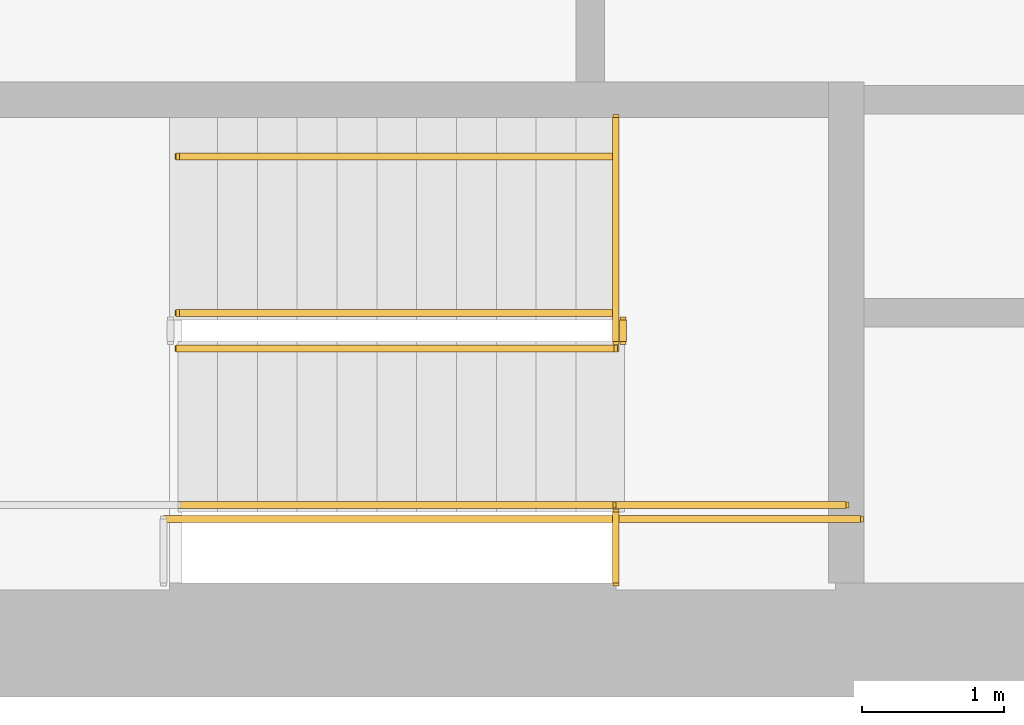
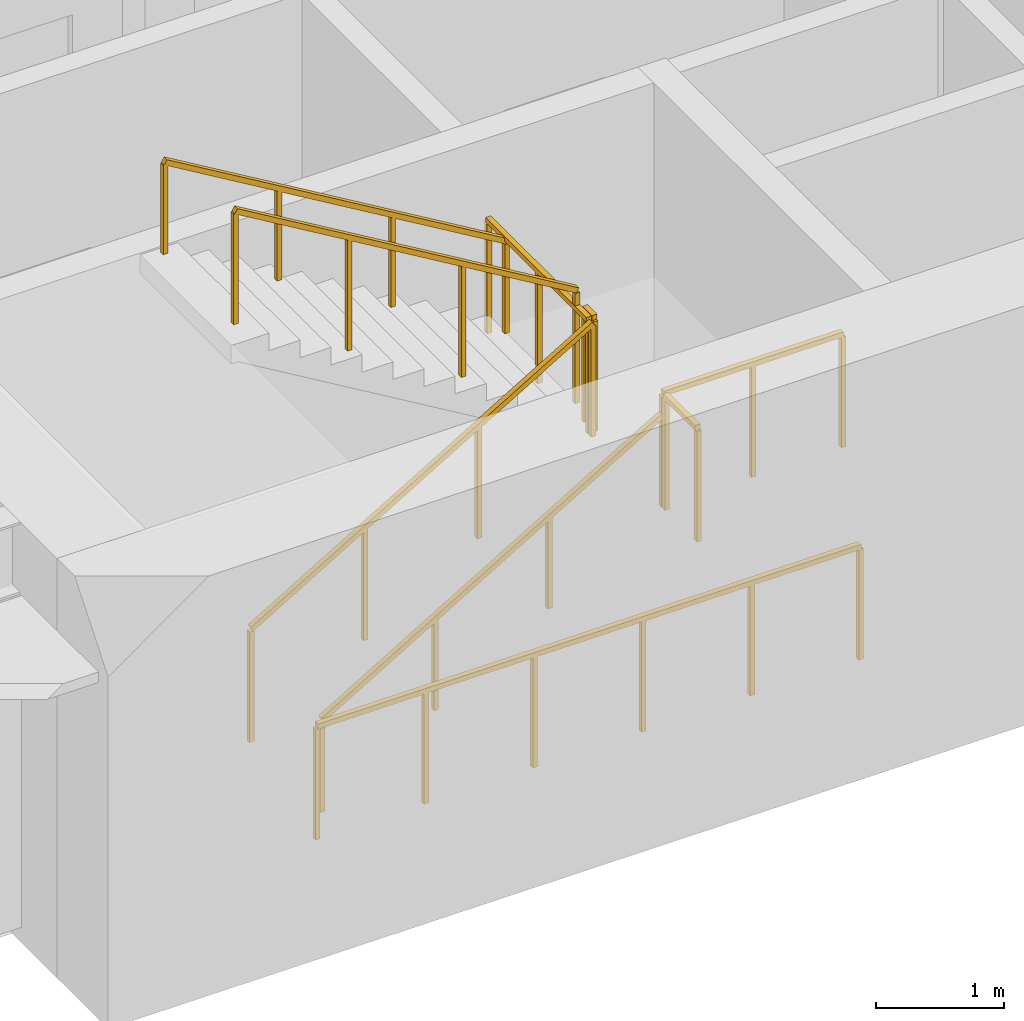
# One storey, part 10 of 12: 9 railings.
"""IFC4 building model written with IfcOpenShell, lengths in metres."""

import ifcopenshell
import ifcopenshell.guid

model = None  # the IFC model being written
_history = None  # IfcOwnerHistory: only IFC2X3 demands one
_inside = {}  # id of a spatial element -> (the spatial element, [elements in it])
_under = {}  # id of a project, library or spatial element -> (it, [spatial elements below it])
_declared = {}  # id of a project -> (the project, [libraries it declares])
_typed = {}  # id of a type object -> (the type object, [elements of that type])
_made_of = {}  # id of a material, layer set ... -> (it, [elements and type objects made of it])


def new_model(schema):
    """Start an empty IFC model of exactly this schema.

    Asked for "IFC4X3", IfcOpenShell would pick the latest addendum, in which some entities
    have other attributes; the version numbers below select the first issue.
    IFC2X3 requires an IfcOwnerHistory on every rooted entity: one is made here for all.
    """
    global model, _history
    if schema == "IFC4X3":
        model = ifcopenshell.file(schema_version=(4, 3, 0, 0))
    else:
        model = ifcopenshell.file(schema=schema)
    _inside.clear()
    _under.clear()
    _declared.clear()
    _typed.clear()
    _made_of.clear()
    _history = None
    if model.schema == "IFC2X3":
        org = make("IfcOrganization", Name="unknown")
        user = make(
            "IfcPersonAndOrganization",
            ThePerson=make("IfcPerson", FamilyName="unknown"),
            TheOrganization=org,
        )
        app = make(
            "IfcApplication",
            ApplicationDeveloper=org,
            Version="unknown",
            ApplicationFullName="unknown",
            ApplicationIdentifier="unknown",
        )
        _history = make(
            "IfcOwnerHistory",
            OwningUser=user,
            OwningApplication=app,
            ChangeAction="ADDED",
            CreationDate=0,
        )
    return model


def make(cls, **values):
    """One entity of the class cls with the attributes given. An attribute that is None is left unset."""
    return model.create_entity(
        cls, **{name: value for name, value in values.items() if value is not None}
    )


def rooted(cls, **values):
    """An entity with a GlobalId (a new one), such as an element, a storey or a relation."""
    return make(cls, GlobalId=ifcopenshell.guid.new(), OwnerHistory=_history, **values)


def si_unit(unit_type, name, prefix=None):
    """IfcSIUnit, for example si_unit("LENGTHUNIT", "METRE", prefix="MILLI")."""
    return make("IfcSIUnit", UnitType=unit_type, Prefix=prefix, Name=name)


def assignment(units):
    """IfcUnitAssignment: the units of a project."""
    return None if units is None else make("IfcUnitAssignment", Units=units)


def point(xyz):
    """IfcCartesianPoint."""
    return None if xyz is None else make("IfcCartesianPoint", Coordinates=xyz)


def direction(xyz):
    """IfcDirection."""
    return None if xyz is None else make("IfcDirection", DirectionRatios=xyz)


def frame(location, z_axis=None, x_axis=None):
    """IfcAxis2Placement3D, a coordinate frame: its origin and axes. An axis left out is left unset."""
    return make(
        "IfcAxis2Placement3D",
        Location=point(location),
        Axis=direction(z_axis),
        RefDirection=direction(x_axis),
    )


def frame_2d(location, x_axis=None):
    """IfcAxis2Placement2D, a coordinate frame in the plane: its origin and x axis."""
    return make(
        "IfcAxis2Placement2D", Location=point(location), RefDirection=direction(x_axis)
    )


def origin():
    """The frame at (0, 0, 0) with its axes left unset."""
    return frame((0.0, 0.0, 0.0))


def origin_2d():
    """The frame at (0, 0) in the plane with its x axis left unset."""
    return frame_2d((0.0, 0.0))


def place(relative_to, where):
    """IfcLocalPlacement: puts the frame where relative to a parent placement (None: the world)."""
    return make(
        "IfcLocalPlacement", PlacementRelTo=relative_to, RelativePlacement=where
    )


def context(
    kind, dimensions, precision=None, world=None, true_north=None, identifier=None
):
    """IfcGeometricRepresentationContext, for example the 3D "Model" context."""
    return make(
        "IfcGeometricRepresentationContext",
        ContextIdentifier=identifier,
        ContextType=kind,
        CoordinateSpaceDimension=dimensions,
        Precision=precision,
        WorldCoordinateSystem=world,
        TrueNorth=true_north,
    )


def subcontext(parent, identifier, kind, view, scale=None):
    """IfcGeometricRepresentationSubContext, for example "Body" below "Model"."""
    return make(
        "IfcGeometricRepresentationSubContext",
        ContextIdentifier=identifier,
        ContextType=kind,
        ParentContext=parent,
        TargetScale=scale,
        TargetView=view,
    )


def project(units=None, contexts=None):
    """IfcProject with its units and contexts."""
    return rooted(
        "IfcProject",
        Name="project",
        RepresentationContexts=contexts,
        UnitsInContext=assignment(units),
    )


def spatial(cls, under=None, at=None, **own):
    """A site, building, storey or space (cls), placed at a placement, below another one or the project."""
    s = rooted(cls, ObjectPlacement=at, **own)
    if under is not None:
        _under.setdefault(under.id(), (under, []))[1].append(s)
    return s


def profile(cls, at=None, kind="AREA", **sizes):
    """A parametric profile (cls). Its sizes go by their IFC names, for example OverallWidth=200.0."""
    return make(cls, ProfileType=kind, Position=at, **sizes)


def rectangle(**sizes):
    """IfcRectangleProfileDef."""
    return profile("IfcRectangleProfileDef", **sizes)


def extrude(swept, where, along, depth):
    """IfcExtrudedAreaSolid: the profile swept, set in the frame where, extruded along a direction by depth."""
    return make(
        "IfcExtrudedAreaSolid",
        SweptArea=swept,
        Position=where,
        ExtrudedDirection=direction(along),
        Depth=depth,
    )


def shape(context_of_items, identifier, shape_type, items):
    """IfcShapeRepresentation: the items that make up one representation, for example the "Body"."""
    return make(
        "IfcShapeRepresentation",
        ContextOfItems=context_of_items,
        RepresentationIdentifier=identifier,
        RepresentationType=shape_type,
        Items=items,
    )


def material(Name=None, Category=None):
    """IfcMaterial."""
    return make("IfcMaterial", Name=Name, Category=Category)


def made_of(thing, what):
    """Note that an element or type object is made of a material, layer set ...; save() writes the relation."""
    if what is not None:
        _made_of.setdefault(what.id(), (what, []))[1].append(thing)
    return thing


def type_object(cls, material=None, **own):
    """A type object (cls), such as IfcWallType, which elements share."""
    return made_of(rooted(cls, **own), material)


def element(
    cls,
    number,
    at=None,
    inside=None,
    cuts=None,
    type_object=None,
    material=None,
    context=None,
    identifier="Body",
    shape_type=None,
    held_by="IfcProductDefinitionShape",
    body=None,
    shapes=None,
    **own,
):
    """One element of the class cls, such as IfcWall. Its Tag is "e" and its number.

    at: its placement. inside: the storey or other place that contains it. cuts: it is an
    opening in that element (IfcRelVoidsElement). A single representation is given by context,
    identifier, shape_type and body (its items); several are given by shapes. held_by: the class
    of the entity that holds the representations. save() writes the other relations.
    """
    e = rooted(cls, Tag="e%d" % number, ObjectPlacement=at, **own)
    if body is not None:
        shapes = [shape(context, identifier, shape_type, body)]
    if shapes is not None:
        e.Representation = make(held_by, Representations=shapes)
    if inside is not None:
        _inside.setdefault(inside.id(), (inside, []))[1].append(e)
    if cuts is not None:
        rooted(
            "IfcRelVoidsElement", RelatingBuildingElement=cuts, RelatedOpeningElement=e
        )
    if type_object is not None:
        _typed.setdefault(type_object.id(), (type_object, []))[1].append(e)
    return made_of(e, material)


def aggregate(whole, parts):
    """IfcRelAggregates: a whole, such as a stair, and the parts it consists of."""
    return rooted("IfcRelAggregates", RelatingObject=whole, RelatedObjects=parts)


def save(model, path):
    """Write the relations noted so far, then the file.

    IfcRelAggregates (storeys below a building ...), IfcRelContainedInSpatialStructure (elements
    in a storey), IfcRelDefinesByType, IfcRelAssociatesMaterial and IfcRelDeclares: one each for
    every whole, place, type object, material and project.
    """
    for whole, parts in _under.values():
        aggregate(whole, parts)
    for where, things in _inside.values():
        rooted(
            "IfcRelContainedInSpatialStructure",
            RelatedElements=things,
            RelatingStructure=where,
        )
    for kind, things in _typed.values():
        rooted("IfcRelDefinesByType", RelatedObjects=things, RelatingType=kind)
    for what, things in _made_of.values():
        rooted("IfcRelAssociatesMaterial", RelatedObjects=things, RelatingMaterial=what)
    for by, libraries in _declared.values():
        rooted("IfcRelDeclares", RelatingContext=by, RelatedDefinitions=libraries)
    model.write(path)


model = new_model("IFC4")

# Units and contexts
model_context = context("Model", 3, precision=1e-05, world=origin(), true_north=direction((0.0, 1.0)))
body_context = subcontext(model_context, "Body", "Model", "MODEL_VIEW")
ifc_project = project(units=[si_unit("LENGTHUNIT", "METRE"), si_unit("AREAUNIT", "SQUARE_METRE"), si_unit("VOLUMEUNIT", "CUBIC_METRE"), si_unit("PLANEANGLEUNIT", "RADIAN"), si_unit("MASSUNIT", "GRAM", prefix="KILO")], contexts=[model_context])

# Site, building, storey
site_placement = place(None, origin())
site = spatial("IfcSite", under=ifc_project, at=site_placement, CompositionType="ELEMENT")
building_placement = place(site_placement, origin())
building = spatial("IfcBuilding", under=site, at=building_placement, Name="Sennacour Bend Tower", CompositionType="ELEMENT")
storey_placement = place(building_placement, frame((0.0, 0.0, 253.0)))
storey = spatial("IfcBuildingStorey", under=building, at=storey_placement, Name="L58", CompositionType="ELEMENT", Elevation=253.0)

# Railings
ifc_material = material(Name="Stainless steel", Category="steel")
railing_type_1 = type_object("IfcRailingType", Name="RL-GUARD-1100", PredefinedType="GUARDRAIL", material=ifc_material)
railing_1_placement = place(storey_placement, frame((56.699951171875, 2.449951171875, 0.166748046875)))
element("IfcRailing", 1, at=railing_1_placement, inside=storey, type_object=railing_type_1, Name="L58 SA1 stair guard 1", PredefinedType="GUARDRAIL", context=body_context, shape_type="SweptSolid", body=[
    extrude(rectangle(XDim=0.048095703125, YDim=0.048095703125, at=origin_2d()), frame((0.0, 0.0, 1.076171875), z_axis=(0.859308565015, 0.0, 0.511457515432), x_axis=(0.0, 1.0, 0.0)), (0.0, 0.0, 1.0), 3.58447265625),
    extrude(rectangle(XDim=0.0419921875, YDim=0.0419921875, at=origin_2d()), origin(), (0.0, 0.0, 1.0), 1.052001953125),
    extrude(rectangle(XDim=0.0419921875, YDim=0.0419921875, at=origin_2d()), frame((1.026611328125, 0.0, 0.611083984375)), (0.0, 0.0, 1.0), 1.052001953125),
    extrude(rectangle(XDim=0.0419921875, YDim=0.0419921875, at=origin_2d()), frame((2.053466796875, 0.0, 1.22216796875)), (0.0, 0.0, 1.0), 1.052001953125),
    extrude(rectangle(XDim=0.0419921875, YDim=0.0419921875, at=origin_2d()), frame((3.080078125, 0.0, 1.833251953125)), (0.0, 0.0, 1.0), 1.052001953125),
])
railing_2_placement = place(storey_placement, frame((59.830078125, 2.5, 2.0)))
element("IfcRailing", 2, at=railing_2_placement, inside=storey, type_object=railing_type_1, Name="L58 SA1 stair guard 2", PredefinedType="GUARDRAIL", context=body_context, shape_type="SweptSolid", body=[
    extrude(rectangle(XDim=0.048095703125, YDim=0.048095703125, at=origin_2d()), frame((0.0, 0.0, 1.076171875), z_axis=(0.0, 1.0, 0.0), x_axis=(-1.0, 0.0, 0.0)), (0.0, 0.0, 1.0), 0.14990234375),
    extrude(rectangle(XDim=0.0419921875, YDim=0.0419921875, at=origin_2d()), origin(), (0.0, 0.0, 1.0), 1.052001953125),
    extrude(rectangle(XDim=0.0419921875, YDim=0.0419921875, at=origin_2d()), frame((0.0, 0.14990234375, 0.0)), (0.0, 0.0, 1.0), 1.052001953125),
])
railing_3_placement = place(storey_placement, frame((59.780029296875, 1.35009765625, 2.0)))
element("IfcRailing", 3, at=railing_3_placement, inside=storey, type_object=railing_type_1, Name="L58 SA1 stair guard 3", PredefinedType="GUARDRAIL", context=body_context, shape_type="SweptSolid", body=[
    extrude(rectangle(XDim=0.048095703125, YDim=0.048095703125, at=origin_2d()), frame((0.0, 0.0, 1.076171875), z_axis=(1.0, 0.0, 0.0), x_axis=(0.0, 1.0, 0.0)), (0.0, 0.0, 1.0), 1.619873046875),
    extrude(rectangle(XDim=0.0419921875, YDim=0.0419921875, at=origin_2d()), origin(), (0.0, 0.0, 1.0), 1.052001953125),
    extrude(rectangle(XDim=0.0419921875, YDim=0.0419921875, at=origin_2d()), frame((0.81005859375, 0.0, 0.0)), (0.0, 0.0, 1.0), 1.052001953125),
    extrude(rectangle(XDim=0.0419921875, YDim=0.0419921875, at=origin_2d()), frame((1.619873046875, 0.0, 0.0)), (0.0, 0.0, 1.0), 1.052001953125),
])
railing_4_placement = place(storey_placement, frame((59.780029296875, 2.699951171875, 2.166748046875)))
element("IfcRailing", 4, at=railing_4_placement, inside=storey, type_object=railing_type_1, Name="L58 SA1 stair guard 4", PredefinedType="GUARDRAIL", context=body_context, shape_type="SweptSolid", body=[
    extrude(rectangle(XDim=0.048095703125, YDim=0.048095703125, at=origin_2d()), frame((0.0, 0.0, 1.076171875), z_axis=(-0.859308565015, 0.0, 0.511457515432), x_axis=(0.0, -1.0, 0.0)), (0.0, 0.0, 1.0), 3.58447265625),
    extrude(rectangle(XDim=0.0419921875, YDim=0.0419921875, at=origin_2d()), origin(), (0.0, 0.0, 1.0), 1.052001953125),
    extrude(rectangle(XDim=0.0419921875, YDim=0.0419921875, at=origin_2d()), frame((-1.026611328125, 0.0, 0.611083984375)), (0.0, 0.0, 1.0), 1.052001953125),
    extrude(rectangle(XDim=0.0419921875, YDim=0.0419921875, at=origin_2d()), frame((-2.053466796875, 0.0, 1.22216796875)), (0.0, 0.0, 1.0), 1.052001953125),
    extrude(rectangle(XDim=0.0419921875, YDim=0.0419921875, at=origin_2d()), frame((-3.080078125, 0.0, 1.833251953125)), (0.0, 0.0, 1.0), 1.052001953125),
])
railing_5_placement = place(storey_placement, frame((56.60009765625, 1.25, 0.0)))
element("IfcRailing", 5, at=railing_5_placement, inside=storey, type_object=railing_type_1, Name="L58 SA1 stair guard 8", PredefinedType="GUARDRAIL", context=body_context, shape_type="SweptSolid", body=[
    extrude(rectangle(XDim=0.048095703125, YDim=0.048095703125, at=origin_2d()), frame((0.0, 0.0, 1.076171875), z_axis=(1.0, 0.0, 0.0), x_axis=(0.0, 1.0, 0.0)), (0.0, 0.0, 1.0), 4.89990234375),
    extrude(rectangle(XDim=0.0419921875, YDim=0.0419921875, at=origin_2d()), origin(), (0.0, 0.0, 1.0), 1.052001953125),
    extrude(rectangle(XDim=0.0419921875, YDim=0.0419921875, at=origin_2d()), frame((0.97998046875, 0.0, 0.0)), (0.0, 0.0, 1.0), 1.052001953125),
    extrude(rectangle(XDim=0.0419921875, YDim=0.0419921875, at=origin_2d()), frame((1.9599609375, 0.0, 0.0)), (0.0, 0.0, 1.0), 1.052001953125),
    extrude(rectangle(XDim=0.0419921875, YDim=0.0419921875, at=origin_2d()), frame((2.93994140625, 0.0, 0.0)), (0.0, 0.0, 1.0), 1.052001953125),
    extrude(rectangle(XDim=0.0419921875, YDim=0.0419921875, at=origin_2d()), frame((3.919921875, 0.0, 0.0)), (0.0, 0.0, 1.0), 1.052001953125),
    extrude(rectangle(XDim=0.0419921875, YDim=0.0419921875, at=origin_2d()), frame((4.89990234375, 0.0, 0.0)), (0.0, 0.0, 1.0), 1.052001953125),
])
railing_6_placement = place(storey_placement, frame((59.780029296875, 0.800048828125, 2.0)))
element("IfcRailing", 6, at=railing_6_placement, inside=storey, type_object=railing_type_1, Name="L58 SA1 landing edge guard 86", PredefinedType="GUARDRAIL", context=body_context, shape_type="SweptSolid", body=[
    extrude(rectangle(XDim=0.048095703125, YDim=0.048095703125, at=origin_2d()), frame((0.0, 0.0, 1.076171875), z_axis=(0.0, 1.0, 0.0), x_axis=(-1.0, 0.0, 0.0)), (0.0, 0.0, 1.0), 0.5),
    extrude(rectangle(XDim=0.0419921875, YDim=0.0419921875, at=origin_2d()), origin(), (0.0, 0.0, 1.0), 1.052001953125),
    extrude(rectangle(XDim=0.0419921875, YDim=0.0419921875, at=origin_2d()), frame((0.0, 0.5, 0.0)), (0.0, 0.0, 1.0), 1.052001953125),
])
railing_7_placement = place(storey_placement, frame((59.780029296875, 2.5, 2.0)))
element("IfcRailing", 7, at=railing_7_placement, inside=storey, type_object=railing_type_1, Name="L58 SA1 landing edge guard 87", PredefinedType="GUARDRAIL", context=body_context, shape_type="SweptSolid", body=[
    extrude(rectangle(XDim=0.048095703125, YDim=0.048095703125, at=origin_2d()), frame((0.0, 0.0, 1.076171875), z_axis=(0.0, 1.0, 0.0), x_axis=(-1.0, 0.0, 0.0)), (0.0, 0.0, 1.0), 1.574951171875),
    extrude(rectangle(XDim=0.0419921875, YDim=0.0419921875, at=origin_2d()), origin(), (0.0, 0.0, 1.0), 1.052001953125),
    extrude(rectangle(XDim=0.0419921875, YDim=0.0419921875, at=origin_2d()), frame((0.0, 0.78759765625, 0.0)), (0.0, 0.0, 1.0), 1.052001953125),
    extrude(rectangle(XDim=0.0419921875, YDim=0.0419921875, at=origin_2d()), frame((0.0, 1.574951171875, 0.0)), (0.0, 0.0, 1.0), 1.052001953125),
])
railing_type_2 = type_object("IfcRailingType", Name="RL-HANDRAIL-900", PredefinedType="HANDRAIL", material=ifc_material)
railing_8_placement = place(storey_placement, frame((56.699951171875, 1.35009765625, 0.166748046875)))
element("IfcRailing", 8, at=railing_8_placement, inside=storey, type_object=railing_type_2, Name="L58 SA1 stair handrail 1", PredefinedType="HANDRAIL", context=body_context, shape_type="SweptSolid", body=[
    extrude(rectangle(XDim=0.048095703125, YDim=0.048095703125, at=origin_2d()), frame((0.0, 0.0, 0.8759765625), z_axis=(0.859308565015, 0.0, 0.511457515432), x_axis=(0.0, 1.0, 0.0)), (0.0, 0.0, 1.0), 3.58447265625),
    extrude(rectangle(XDim=0.0419921875, YDim=0.0419921875, at=origin_2d()), origin(), (0.0, 0.0, 1.0), 0.851806640625),
    extrude(rectangle(XDim=0.0419921875, YDim=0.0419921875, at=origin_2d()), frame((1.026611328125, 0.0, 0.611083984375)), (0.0, 0.0, 1.0), 0.851806640625),
    extrude(rectangle(XDim=0.0419921875, YDim=0.0419921875, at=origin_2d()), frame((2.053466796875, 0.0, 1.22216796875)), (0.0, 0.0, 1.0), 0.851806640625),
    extrude(rectangle(XDim=0.0419921875, YDim=0.0419921875, at=origin_2d()), frame((3.080078125, 0.0, 1.833251953125)), (0.0, 0.0, 1.0), 0.851806640625),
])
railing_9_placement = place(storey_placement, frame((59.780029296875, 3.800048828125, 2.166748046875)))
element("IfcRailing", 9, at=railing_9_placement, inside=storey, type_object=railing_type_2, Name="L58 SA1 stair handrail 2", PredefinedType="HANDRAIL", context=body_context, shape_type="SweptSolid", body=[
    extrude(rectangle(XDim=0.048095703125, YDim=0.048095703125, at=origin_2d()), frame((0.0, 0.0, 0.8759765625), z_axis=(-0.859308565015, 0.0, 0.511457515432), x_axis=(0.0, -1.0, 0.0)), (0.0, 0.0, 1.0), 3.58447265625),
    extrude(rectangle(XDim=0.0419921875, YDim=0.0419921875, at=origin_2d()), origin(), (0.0, 0.0, 1.0), 0.851806640625),
    extrude(rectangle(XDim=0.0419921875, YDim=0.0419921875, at=origin_2d()), frame((-1.026611328125, 0.0, 0.611083984375)), (0.0, 0.0, 1.0), 0.851806640625),
    extrude(rectangle(XDim=0.0419921875, YDim=0.0419921875, at=origin_2d()), frame((-2.053466796875, 0.0, 1.22216796875)), (0.0, 0.0, 1.0), 0.851806640625),
    extrude(rectangle(XDim=0.0419921875, YDim=0.0419921875, at=origin_2d()), frame((-3.080078125, 0.0, 1.833251953125)), (0.0, 0.0, 1.0), 0.851806640625),
])

save(model, "model.ifc")
